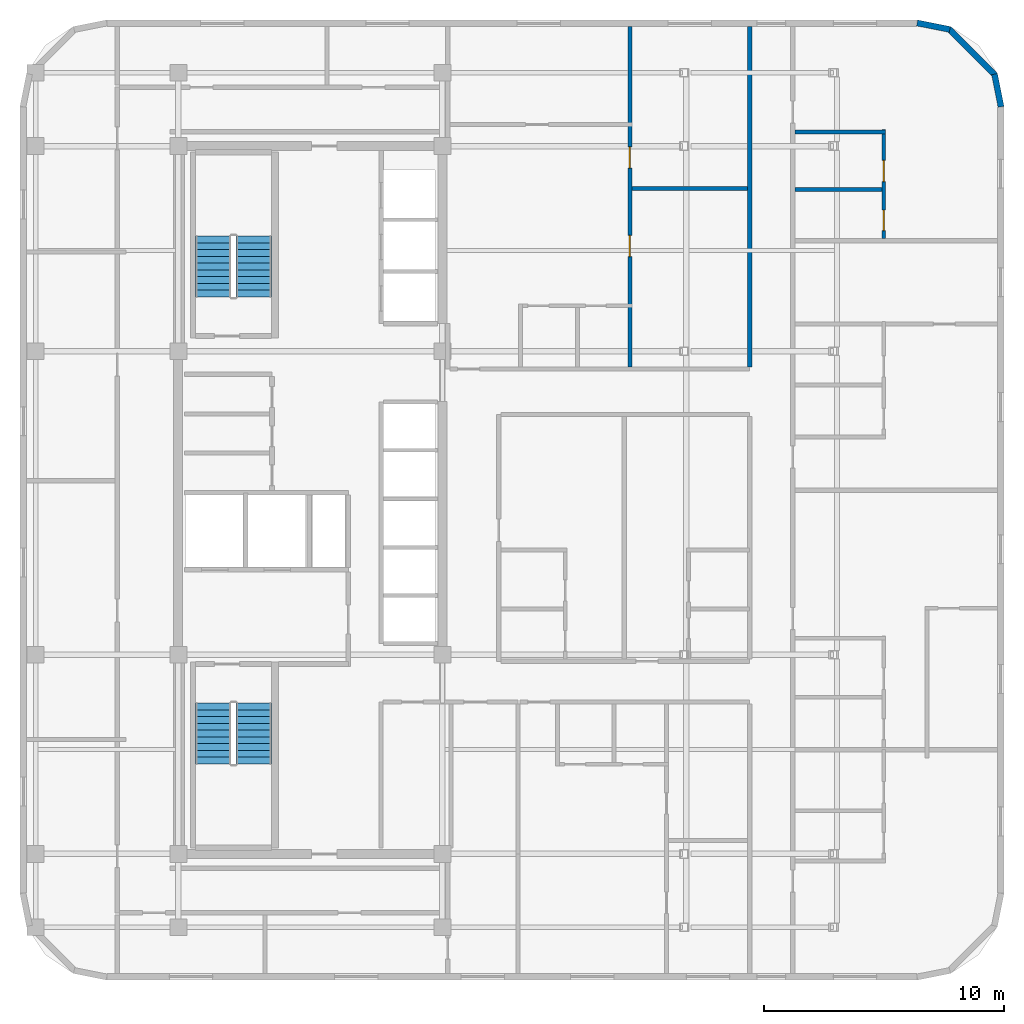
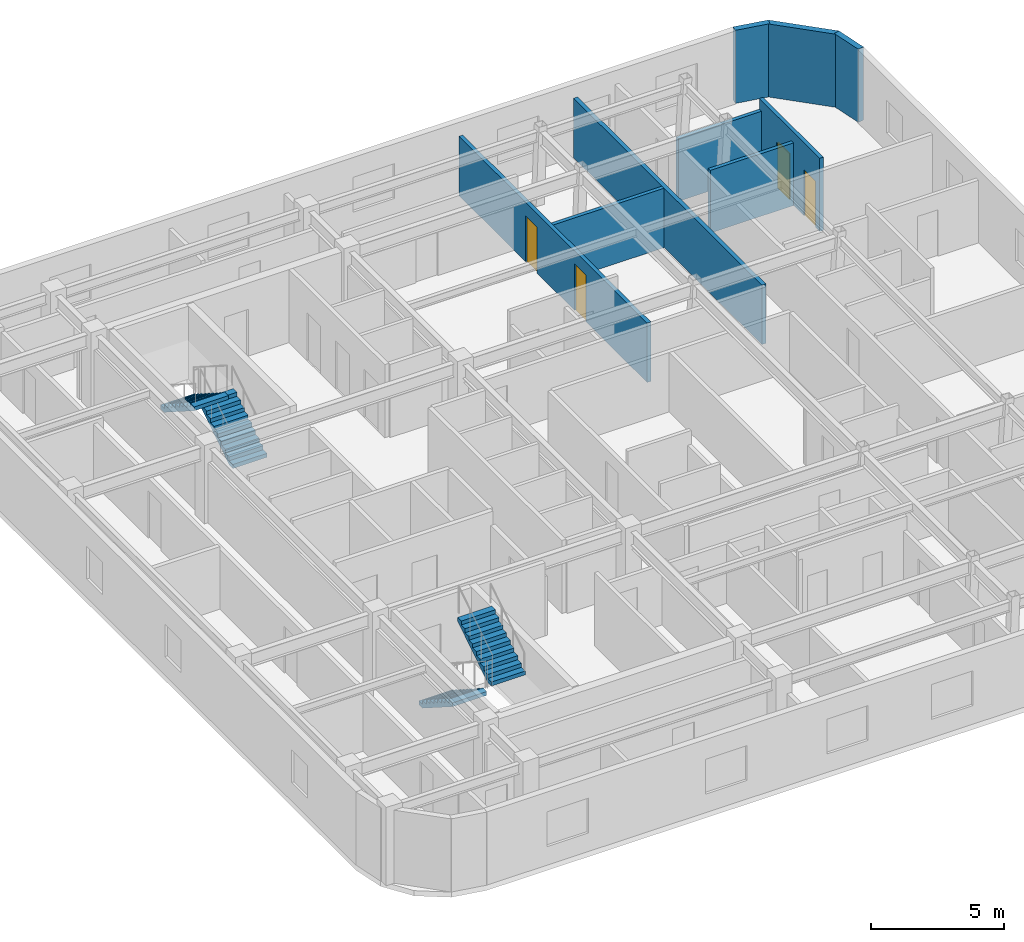
# One storey, part 7 of 8: 9 walls, 4 doors, 4 stair flights, 4 openings, 2 elements without a shape of their own.
"""IFC4 building model written with IfcOpenShell, lengths in metres."""

from ifc_helpers import new_model, si_unit, direction, frame, frame_2d, origin, place, context, subcontext, project, spatial, polyline, rectangle, outline, extrude, material, layer, layer_set, type_object, element, fill, aggregate, save


model = new_model("IFC4")

# Units and contexts
model_context = context("Model", 3, precision=1e-05, world=origin(), true_north=direction((0.0, 1.0)))
body_context = subcontext(model_context, "Body", "Model", "MODEL_VIEW")
ifc_project = project(units=[si_unit("LENGTHUNIT", "METRE"), si_unit("AREAUNIT", "SQUARE_METRE"), si_unit("VOLUMEUNIT", "CUBIC_METRE"), si_unit("PLANEANGLEUNIT", "RADIAN"), si_unit("MASSUNIT", "GRAM", prefix="KILO")], contexts=[model_context])

# Site, building, storey
site_placement = place(None, origin())
site = spatial("IfcSite", under=ifc_project, at=site_placement, CompositionType="ELEMENT")
building_placement = place(site_placement, origin())
building = spatial("IfcBuilding", under=site, at=building_placement, Name="Ochreholt Gables", CompositionType="ELEMENT")
storey_placement = place(building_placement, frame((0.0, 0.0, 151.800048828125)))
storey = spatial("IfcBuildingStorey", under=building, at=storey_placement, Name="L39", CompositionType="ELEMENT", Elevation=151.800048828125)

# Walls
ifc_material_1 = material(Name="Precast concrete 40 MPa", Category="concrete")
ifc_layer_1 = layer(ifc_material_1, 0.25, Name="Precast concrete 40 MPa")
ifc_layer_set_1 = layer_set([ifc_layer_1], Name="Precast concrete 40 MPa")
wall_type_1 = type_object("IfcWallType", Name="WALL-EXT-CNR", PredefinedType="SOLIDWALL", material=ifc_layer_set_1)
wall_1_placement = place(storey_placement, frame((58.475830078125, 40.383544921875, 0.0), z_axis=(0.0, 0.0, 1.0), x_axis=(-0.19496651342, 0.980809899341, 0.0)))
element("IfcWall", 1, at=wall_1_placement, inside=storey, type_object=wall_type_1, Name="L39 Rounded Corner Wall NE-1", PredefinedType="SOLIDWALL", context=body_context, shape_type="SweptSolid", body=[
    extrude(rectangle(XDim=1.388671875, YDim=0.25, at=frame_2d((0.6943359375, 0.0))), origin(), (0.0, 0.0, 1.0), 3.35986328125),
])
wall_2_placement = place(storey_placement, frame((58.23193359375, 41.695068359375, 0.0), z_axis=(0.0, 0.0, 1.0), x_axis=(-0.707106781187, 0.707106781187, 0.0)))
element("IfcWall", 2, at=wall_2_placement, inside=storey, type_object=wall_type_1, Name="L39 Rounded Corner Wall NE-2", PredefinedType="SOLIDWALL", context=body_context, shape_type="SweptSolid", body=[
    extrude(rectangle(XDim=2.7392578125, YDim=0.25, at=frame_2d((1.36962890625, 0.0))), origin(), (0.0, 0.0, 1.0), 3.35986328125),
])
wall_3_placement = place(storey_placement, frame((56.345458984375, 43.60498046875, 0.0), z_axis=(0.0, 0.0, 1.0), x_axis=(-0.980809899341, 0.19496651342, 0.0)))
element("IfcWall", 3, at=wall_3_placement, inside=storey, type_object=wall_type_1, Name="L39 Rounded Corner Wall NE-3", PredefinedType="SOLIDWALL", context=body_context, shape_type="SweptSolid", body=[
    extrude(rectangle(XDim=1.388671875, YDim=0.25, at=frame_2d((0.6943359375, 0.0))), origin(), (0.0, 0.0, 1.0), 3.35986328125),
])
ifc_material_2 = material(Name="Fire-Rated Gypsum Acoustic Partition", Category="gypsum")
ifc_layer_2 = layer(ifc_material_2, 0.179931640625, Name="Fire-Rated Gypsum Acoustic Partition")
ifc_layer_set_2 = layer_set([ifc_layer_2], Name="Fire-Rated Gypsum Acoustic Partition")
wall_type_2 = type_object("IfcWallType", Name="WALL-INT-CR180", PredefinedType="STANDARD", material=ifc_layer_set_2)
wall_4_placement = place(storey_placement, frame((48.0, 29.550048828125, 0.0), z_axis=(0.0, 0.0, 1.0), x_axis=(0.0, 1.0, 0.0)))
element("IfcWall", 4, at=wall_4_placement, inside=storey, type_object=wall_type_2, Name="L39 Interior Wall WI-C2FEGW3-L39", PredefinedType="STANDARD", context=body_context, shape_type="SweptSolid", body=[
    extrude(rectangle(XDim=14.169921875, YDim=0.179931640625, at=frame_2d((7.0849609375, 0.0))), origin(), (0.0, 0.0, 1.0), 2.72998046875),
])
ifc_material_3 = material(Name="Moisture-Resistant Plumbing Chase Wall", Category="gypsum")
ifc_layer_3 = layer(ifc_material_3, 0.159912109375, Name="Moisture-Resistant Plumbing Chase Wall")
ifc_layer_set_3 = layer_set([ifc_layer_3], Name="Moisture-Resistant Plumbing Chase Wall")
wall_type_3 = type_object("IfcWallType", Name="WALL-INT-PL160", PredefinedType="PLUMBINGWALL", material=ifc_layer_set_3)
wall_5_placement = place(storey_placement, frame((49.889892578125, 39.340087890625, 0.0), z_axis=(0.0, 0.0, 1.0), x_axis=(1.0, 0.0, 0.0)))
element("IfcWall", 5, at=wall_5_placement, inside=storey, type_object=wall_type_3, Name="L39 Interior Wall WU-L39FE4-WYN", PredefinedType="PLUMBINGWALL", context=body_context, shape_type="SweptSolid", body=[
    extrude(rectangle(XDim=3.780029296875, YDim=0.159912109375, at=frame_2d((1.89013671875, 0.0))), origin(), (0.0, 0.0, 1.0), 2.87890625),
])

# Wall, openings, doors
wall_6_placement = place(storey_placement, frame((53.590087890625, 34.889892578125, 0.0), z_axis=(0.0, 0.0, 1.0), x_axis=(0.0, 1.0, 0.0)))
wall_6 = element("IfcWall", 6, at=wall_6_placement, inside=storey, type_object=wall_type_3, Name="L39 Interior Wall WU-L39FE4-WX", PredefinedType="PLUMBINGWALL", context=body_context, shape_type="SweptSolid", body=[
    extrude(rectangle(XDim=4.5400390625, YDim=0.159912109375, at=frame_2d((2.27001953125, 0.0))), origin(), (0.0, 0.0, 1.0), 3.35986328125),
])
opening_1_placement = place(wall_6_placement, frame((0.330078125, 0.0, 0.0)))
opening_1 = element("IfcOpeningElement", 7, at=opening_1_placement, cuts=wall_6, Name="Opening D-BT1", PredefinedType="OPENING", context=body_context, shape_type="SweptSolid", body=[
    extrude(rectangle(XDim=0.860107421875, YDim=2.1201171875, at=frame_2d((0.43017578125, 1.06005859375))), frame((0.0, 0.08984375, 0.0), z_axis=(0.0, -1.0, 0.0), x_axis=(1.0, 0.0, 0.0)), (0.0, 0.0, 1.0), 0.179931640625),
])
opening_2_placement = place(wall_6_placement, frame((2.376953125, 0.0, 0.0)))
opening_2 = element("IfcOpeningElement", 8, at=opening_2_placement, cuts=wall_6, Name="Opening D-GN2", PredefinedType="OPENING", context=body_context, shape_type="SweptSolid", body=[
    extrude(rectangle(XDim=0.8798828125, YDim=2.1201171875, at=frame_2d((0.43994140625, 1.06005859375))), frame((0.0, 0.08984375, 0.0), z_axis=(0.0, -1.0, 0.0), x_axis=(1.0, 0.0, 0.0)), (0.0, 0.0, 1.0), 0.179931640625),
])
ifc_material_4 = material(Name="Engineered Oak Timber", Category="wood")
door_type_1 = type_object("IfcDoorType", Name="DR-INT-BTH860", OperationType="NOTDEFINED", PredefinedType="DOOR", material=ifc_material_4)
door_1_placement = place(opening_1_placement, origin())
door_1 = element("IfcDoor", 9, at=door_1_placement, inside=storey, type_object=door_type_1, Name="L39 Door D-U-L39FE4-BTH", OperationType="SINGLE_SWING_RIGHT", OverallHeight=2.1201171875, OverallWidth=0.860107421875, PredefinedType="DOOR", context=body_context, shape_type="SweptSolid", body=[
    extrude(rectangle(XDim=0.860107421875, YDim=2.1201171875, at=frame_2d((0.43017578125, 1.06005859375))), frame((0.0, 0.02490234375, 0.0), z_axis=(0.0, -1.0, 0.0), x_axis=(1.0, 0.0, 0.0)), (0.0, 0.0, 1.0), 0.050048828125),
])
fill(opening_1, door_1)
door_type_2 = type_object("IfcDoorType", Name="DR-INT-GEN880", OperationType="NOTDEFINED", PredefinedType="DOOR", material=ifc_material_4)
door_2_placement = place(opening_2_placement, origin())
door_2 = element("IfcDoor", 10, at=door_2_placement, inside=storey, type_object=door_type_2, Name="L39 Door D-U-L39FE4-KIT", OperationType="SINGLE_SWING_LEFT", OverallHeight=2.1201171875, OverallWidth=0.8798828125, PredefinedType="DOOR", context=body_context, shape_type="SweptSolid", body=[
    extrude(rectangle(XDim=0.8798828125, YDim=2.1201171875, at=frame_2d((0.43994140625, 1.06005859375))), frame((0.0, 0.02490234375, 0.0), z_axis=(0.0, -1.0, 0.0), x_axis=(1.0, 0.0, 0.0)), (0.0, 0.0, 1.0), 0.050048828125),
])
fill(opening_2, door_2)

# Wall
wall_7_placement = place(storey_placement, frame((49.889892578125, 36.93701171875, 0.0), z_axis=(0.0, 0.0, 1.0), x_axis=(1.0, 0.0, 0.0)))
element("IfcWall", 11, at=wall_7_placement, inside=storey, type_object=wall_type_3, Name="L39 Interior Wall WU-L39FE4-WM", PredefinedType="PLUMBINGWALL", context=body_context, shape_type="SweptSolid", body=[
    extrude(rectangle(XDim=3.6201171875, YDim=0.159912109375, at=frame_2d((1.81005859375, 0.0))), origin(), (0.0, 0.0, 1.0), 2.87890625),
])

# Wall, openings, doors
ifc_material_5 = material(Name="Gypsum Acoustic Stud Partition", Category="gypsum")
ifc_layer_4 = layer(ifc_material_5, 0.1650390625, Name="Gypsum Acoustic Stud Partition")
ifc_layer_set_4 = layer_set([ifc_layer_4], Name="Gypsum Acoustic Stud Partition")
wall_type_4 = type_object("IfcWallType", Name="WALL-INT-PT165", PredefinedType="PARTITIONING", material=ifc_layer_set_4)
wall_8_placement = place(storey_placement, frame((43.010009765625, 29.550048828125, 0.0), z_axis=(0.0, 0.0, 1.0), x_axis=(0.0, 1.0, 0.0)))
wall_8 = element("IfcWall", 12, at=wall_8_placement, inside=storey, type_object=wall_type_4, Name="L39 Interior Wall WU-L39N1-MNX", PredefinedType="PARTITIONING", context=body_context, shape_type="SweptSolid", body=[
    extrude(rectangle(XDim=14.169921875, YDim=0.1650390625, at=frame_2d((7.0849609375, 0.0))), origin(), (0.0, 0.0, 1.0), 2.72998046875),
])
opening_3_placement = place(wall_8_placement, frame((4.592529296875, 0.0, 0.0)))
opening_3 = element("IfcOpeningElement", 13, at=opening_3_placement, cuts=wall_8, Name="Opening D-BD2", PredefinedType="OPENING", context=body_context, shape_type="SweptSolid", body=[
    extrude(rectangle(XDim=0.8798828125, YDim=2.139892578125, at=frame_2d((0.43994140625, 1.06982421875))), frame((0.0, 0.092529296875, 0.0), z_axis=(0.0, -1.0, 0.0), x_axis=(1.0, 0.0, 0.0)), (0.0, 0.0, 1.0), 0.18505859375),
])
opening_4_placement = place(wall_8_placement, frame((8.280029296875, 0.0, 0.0)))
opening_4 = element("IfcOpeningElement", 14, at=opening_4_placement, cuts=wall_8, Name="Opening D-GN2", PredefinedType="OPENING", context=body_context, shape_type="SweptSolid", body=[
    extrude(rectangle(XDim=0.8798828125, YDim=2.1201171875, at=frame_2d((0.43994140625, 1.06005859375))), frame((0.0, 0.092529296875, 0.0), z_axis=(0.0, -1.0, 0.0), x_axis=(1.0, 0.0, 0.0)), (0.0, 0.0, 1.0), 0.18505859375),
])
door_type_3 = type_object("IfcDoorType", Name="DR-INT-BED880", OperationType="NOTDEFINED", PredefinedType="DOOR", material=ifc_material_4)
door_3_placement = place(opening_3_placement, origin())
door_3 = element("IfcDoor", 15, at=door_3_placement, inside=storey, type_object=door_type_3, Name="L39 Door D-U-L39N1-BD1", OperationType="SINGLE_SWING_LEFT", OverallHeight=2.139892578125, OverallWidth=0.8798828125, PredefinedType="DOOR", context=body_context, shape_type="SweptSolid", body=[
    extrude(rectangle(XDim=0.8798828125, YDim=2.139892578125, at=frame_2d((0.43994140625, 1.06982421875))), frame((0.0, 0.02490234375, 0.0), z_axis=(0.0, -1.0, 0.0), x_axis=(1.0, 0.0, 0.0)), (0.0, 0.0, 1.0), 0.050048828125),
])
fill(opening_3, door_3)
door_4_placement = place(opening_4_placement, origin())
door_4 = element("IfcDoor", 16, at=door_4_placement, inside=storey, type_object=door_type_2, Name="L39 Door D-U-L39N1-BD2", OperationType="SINGLE_SWING_RIGHT", OverallHeight=2.1201171875, OverallWidth=0.8798828125, PredefinedType="DOOR", context=body_context, shape_type="SweptSolid", body=[
    extrude(rectangle(XDim=0.8798828125, YDim=2.1201171875, at=frame_2d((0.43994140625, 1.06005859375))), frame((0.0, 0.02490234375, 0.0), z_axis=(0.0, -1.0, 0.0), x_axis=(1.0, 0.0, 0.0)), (0.0, 0.0, 1.0), 0.050048828125),
])
fill(opening_4, door_4)

# Wall
wall_9_placement = place(storey_placement, frame((43.090087890625, 36.97998046875, 0.0), z_axis=(0.0, 0.0, 1.0), x_axis=(1.0, 0.0, 0.0)))
element("IfcWall", 17, at=wall_9_placement, inside=storey, type_object=wall_type_4, Name="L39 Interior Wall WU-L39N1-RDV", PredefinedType="PARTITIONING", context=body_context, shape_type="SweptSolid", body=[
    extrude(rectangle(XDim=4.81982421875, YDim=0.1650390625, at=frame_2d((2.409912109375, 0.0))), origin(), (0.0, 0.0, 1.0), 2.72998046875),
])

# Stair, stair flights
ifc_material_6 = material(Name="Concrete 40 MPa", Category="concrete")
stair_type_1 = type_object("IfcStairType", Name="STAIR-CORE-ST-1", PredefinedType="HALF_TURN_STAIR", material=ifc_material_6)
stair_1_placement = place(storey_placement, origin())
stair_1 = element("IfcStair", 18, at=stair_1_placement, inside=storey, type_object=stair_type_1, Name="L39 Core Exit Stair 1", PredefinedType="HALF_TURN_STAIR")
stair_flight_type = type_object("IfcStairFlightType", Name="FLIGHT-ST-1480-1800", PredefinedType="STRAIGHT", material=ifc_material_6)
stair_flight_1_placement = place(storey_placement, frame((25.659912109375, 15.5400390625, 0.0), z_axis=(0.0, 0.0, 1.0), x_axis=(0.0, -1.0, 0.0)))
stair_flight_1 = element("IfcStairFlight", 19, at=stair_flight_1_placement, type_object=stair_flight_type, Name="ST-1 flight 1", NumberOfRisers=10, NumberOfTreads=9, PredefinedType="STRAIGHT", RiserHeight=0.18, TreadLength=0.282, context=body_context, shape_type="SweptSolid", body=[
    extrude(outline(polyline([(0.0, 0.0), (0.0, 0.179931640625), (0.281982421875, 0.179931640625), (0.281982421875, 0.360107421875), (0.56396484375, 0.360107421875), (0.56396484375, 0.5400390625), (0.845947265625, 0.5400390625), (0.845947265625, 0.719970703125), (1.1279296875, 0.719970703125), (1.1279296875, 0.89990234375), (1.409912109375, 0.89990234375), (1.409912109375, 1.080078125), (1.69189453125, 1.080078125), (1.69189453125, 1.260009765625), (1.97412109375, 1.260009765625), (1.97412109375, 1.43994140625), (2.256103515625, 1.43994140625), (2.256103515625, 1.6201171875), (2.5380859375, 1.6201171875), (2.5380859375, 1.800048828125), (2.5380859375, 1.442138671875), (0.278564453125, 0.0), (0.0, 0.0)])), frame((0.0, 0.739990234375, 0.0), z_axis=(0.0, -1.0, 0.0), x_axis=(1.0, 0.0, 0.0)), (0.0, 0.0, 1.0), 1.47998046875),
])
stair_flight_2_placement = place(storey_placement, frame((27.340087890625, 13.001953125, 1.800048828125), z_axis=(0.0, 0.0, 1.0), x_axis=(0.0, 1.0, 0.0)))
stair_flight_2 = element("IfcStairFlight", 20, at=stair_flight_2_placement, type_object=stair_flight_type, Name="ST-1 flight 2", NumberOfRisers=10, NumberOfTreads=9, PredefinedType="STRAIGHT", RiserHeight=0.18, TreadLength=0.282, context=body_context, shape_type="SweptSolid", body=[
    extrude(outline(polyline([(0.0, 0.0), (0.0, 0.179931640625), (0.281982421875, 0.179931640625), (0.281982421875, 0.360107421875), (0.56396484375, 0.360107421875), (0.56396484375, 0.5400390625), (0.845947265625, 0.5400390625), (0.845947265625, 0.719970703125), (1.1279296875, 0.719970703125), (1.1279296875, 0.89990234375), (1.409912109375, 0.89990234375), (1.409912109375, 1.080078125), (1.69189453125, 1.080078125), (1.69189453125, 1.260009765625), (1.97412109375, 1.260009765625), (1.97412109375, 1.43994140625), (2.256103515625, 1.43994140625), (2.256103515625, 1.6201171875), (2.5380859375, 1.6201171875), (2.5380859375, 1.800048828125), (2.5380859375, 1.442138671875), (0.278564453125, 0.0), (0.0, 0.0)])), frame((0.0, 0.739990234375, 0.0), z_axis=(0.0, -1.0, 0.0), x_axis=(1.0, 0.0, 0.0)), (0.0, 0.0, 1.0), 1.47998046875),
])
aggregate(stair_1, [stair_flight_1, stair_flight_2])

stair_type_2 = type_object("IfcStairType", Name="STAIR-CORE-ST-2", PredefinedType="HALF_TURN_STAIR", material=ifc_material_6)
stair_2_placement = place(storey_placement, origin())
stair_2 = element("IfcStair", 21, at=stair_2_placement, inside=storey, type_object=stair_type_2, Name="L39 Core Exit Stair 2", PredefinedType="HALF_TURN_STAIR")
stair_flight_3_placement = place(storey_placement, frame((27.340087890625, 32.4599609375, 0.0), z_axis=(0.0, 0.0, 1.0), x_axis=(0.0, 1.0, 0.0)))
stair_flight_3 = element("IfcStairFlight", 22, at=stair_flight_3_placement, type_object=stair_flight_type, Name="ST-2 flight 1", NumberOfRisers=10, NumberOfTreads=9, PredefinedType="STRAIGHT", RiserHeight=0.18, TreadLength=0.282, context=body_context, shape_type="SweptSolid", body=[
    extrude(outline(polyline([(0.0, 0.0), (0.0, 0.179931640625), (0.281982421875, 0.179931640625), (0.281982421875, 0.360107421875), (0.56396484375, 0.360107421875), (0.56396484375, 0.5400390625), (0.845947265625, 0.5400390625), (0.845947265625, 0.719970703125), (1.1279296875, 0.719970703125), (1.1279296875, 0.89990234375), (1.409912109375, 0.89990234375), (1.409912109375, 1.080078125), (1.69189453125, 1.080078125), (1.69189453125, 1.260009765625), (1.97412109375, 1.260009765625), (1.97412109375, 1.43994140625), (2.256103515625, 1.43994140625), (2.256103515625, 1.6201171875), (2.5380859375, 1.6201171875), (2.5380859375, 1.800048828125), (2.5380859375, 1.442138671875), (0.278564453125, 0.0), (0.0, 0.0)])), frame((0.0, 0.739990234375, 0.0), z_axis=(0.0, -1.0, 0.0), x_axis=(1.0, 0.0, 0.0)), (0.0, 0.0, 1.0), 1.47998046875),
])
stair_flight_4_placement = place(storey_placement, frame((25.659912109375, 34.998046875, 1.800048828125), z_axis=(0.0, 0.0, 1.0), x_axis=(0.0, -1.0, 0.0)))
stair_flight_4 = element("IfcStairFlight", 23, at=stair_flight_4_placement, type_object=stair_flight_type, Name="ST-2 flight 2", NumberOfRisers=10, NumberOfTreads=9, PredefinedType="STRAIGHT", RiserHeight=0.18, TreadLength=0.282, context=body_context, shape_type="SweptSolid", body=[
    extrude(outline(polyline([(0.0, 0.0), (0.0, 0.179931640625), (0.281982421875, 0.179931640625), (0.281982421875, 0.360107421875), (0.56396484375, 0.360107421875), (0.56396484375, 0.5400390625), (0.845947265625, 0.5400390625), (0.845947265625, 0.719970703125), (1.1279296875, 0.719970703125), (1.1279296875, 0.89990234375), (1.409912109375, 0.89990234375), (1.409912109375, 1.080078125), (1.69189453125, 1.080078125), (1.69189453125, 1.260009765625), (1.97412109375, 1.260009765625), (1.97412109375, 1.43994140625), (2.256103515625, 1.43994140625), (2.256103515625, 1.6201171875), (2.5380859375, 1.6201171875), (2.5380859375, 1.800048828125), (2.5380859375, 1.442138671875), (0.278564453125, 0.0), (0.0, 0.0)])), frame((0.0, 0.739990234375, 0.0), z_axis=(0.0, -1.0, 0.0), x_axis=(1.0, 0.0, 0.0)), (0.0, 0.0, 1.0), 1.47998046875),
])
aggregate(stair_2, [stair_flight_3, stair_flight_4])

save(model, "model.ifc")
